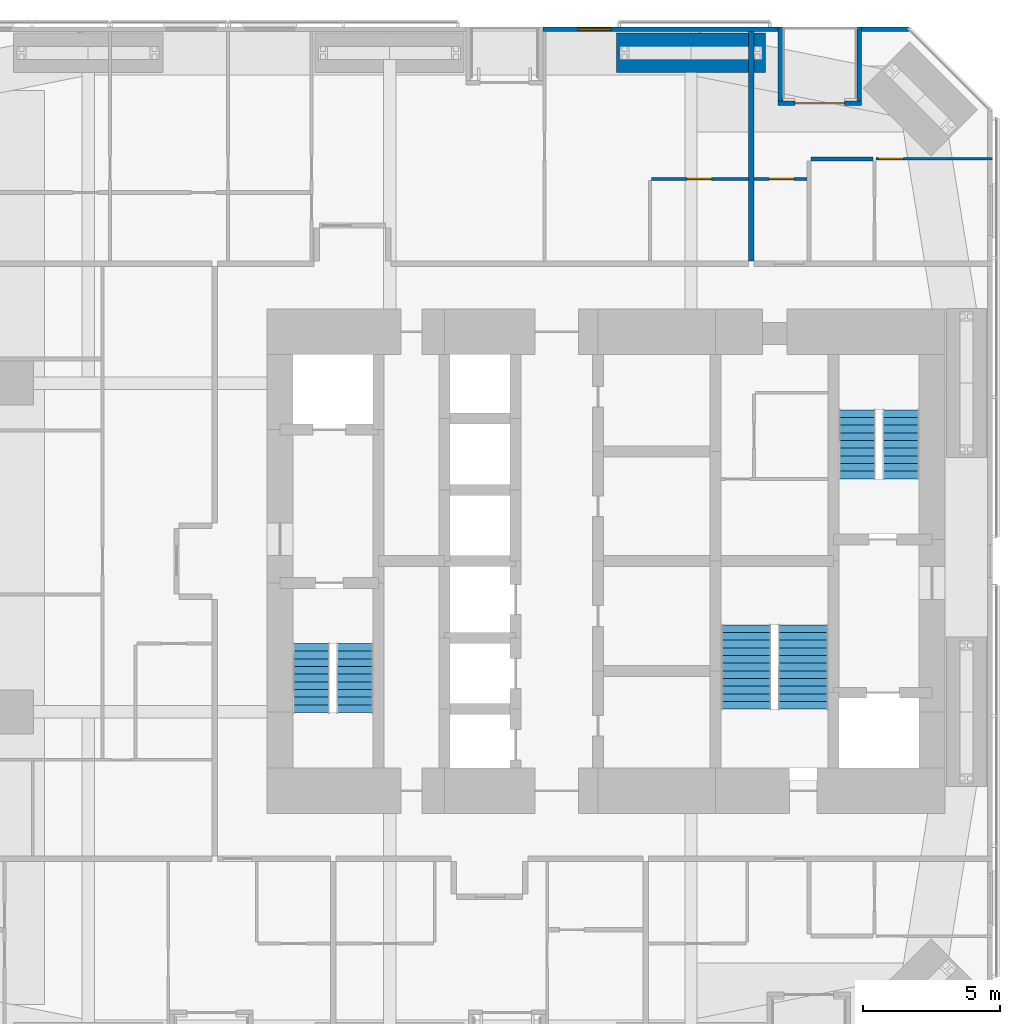
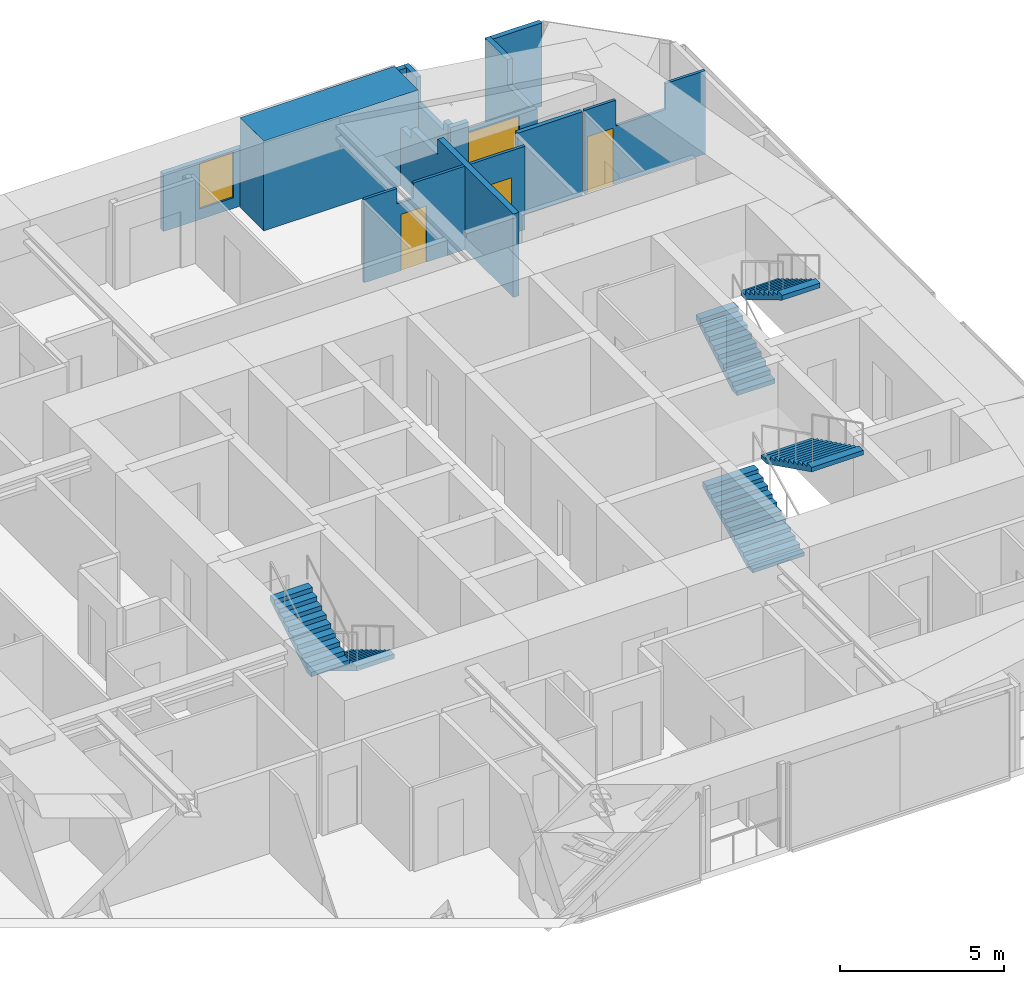
# One storey, part 22 of 23: 12 walls, 6 stair flights, 4 doors, 1 window, 5 openings, 3 elements without a shape of their own.
"""IFC4 building model written with IfcOpenShell, lengths in metres."""

from ifc_helpers import new_model, si_unit, direction, frame, frame_2d, origin, place, context, subcontext, project, spatial, polyline, rectangle, outline, extrude, material, layer, layer_set, constituent, constituent_set, type_object, element, fill, aggregate, save


model = new_model("IFC4")

# Units and contexts
model_context = context("Model", 3, precision=1e-05, world=origin(), true_north=direction((0.0, 1.0)))
body_context = subcontext(model_context, "Body", "Model", "MODEL_VIEW")
ifc_project = project(units=[si_unit("LENGTHUNIT", "METRE"), si_unit("AREAUNIT", "SQUARE_METRE"), si_unit("VOLUMEUNIT", "CUBIC_METRE"), si_unit("PLANEANGLEUNIT", "RADIAN"), si_unit("MASSUNIT", "GRAM", prefix="KILO")], contexts=[model_context])

# Site, building, storey
site_placement = place(None, origin())
site = spatial("IfcSite", under=ifc_project, at=site_placement, CompositionType="ELEMENT")
building_placement = place(site_placement, origin())
building = spatial("IfcBuilding", under=site, at=building_placement, Name="Jalousie Tower", CompositionType="ELEMENT")
storey_placement = place(building_placement, frame((0.0, 0.0, 31.050048828125)))
storey = spatial("IfcBuildingStorey", under=building, at=storey_placement, Name="L07", CompositionType="ELEMENT", Elevation=31.050048828125)

# Walls
ifc_material_1 = material(Name="Concrete block ASTM C90", Category="concrete")
ifc_constituent_1 = constituent(ifc_material_1, Name="Body")
ifc_material_2 = material(Name="Render")
ifc_constituent_2 = constituent(ifc_material_2, Name="Finish")
ifc_constituent_set_1 = constituent_set(constituents=[ifc_constituent_1, ifc_constituent_2])
wall_type_1 = type_object("IfcWallType", Name="BATHROOM WALL 150", PredefinedType="PLUMBINGWALL", material=ifc_constituent_set_1)
wall_1_placement = place(storey_placement, frame((39.375, 33.1826171875, 0.0), z_axis=(0.0, 0.0, 1.0), x_axis=(1.0, 0.0, 0.0)))
element("IfcWall", 1, at=wall_1_placement, inside=storey, type_object=wall_type_1, Name="Bathroom Wall 150 L07", PredefinedType="PLUMBINGWALL", context=body_context, shape_type="SweptSolid", body=[
    extrude(rectangle(XDim=2.27490234375, YDim=0.14990234375, at=frame_2d((1.137451171875, 0.0))), origin(), (0.0, 0.0, 1.0), 3.10986328125),
])
ifc_material_3 = material(Name="Concrete f'c 40 MPa", Category="concrete")
ifc_constituent_3 = constituent(ifc_material_3, Name="Body")
ifc_material_4 = material(Name="Render, pastel coral")
ifc_constituent_4 = constituent(ifc_material_4, Name="Finish")
ifc_constituent_set_2 = constituent_set(constituents=[ifc_constituent_3, ifc_constituent_4])
wall_type_2 = type_object("IfcWallType", Name="EXTERNAL WALL 175 CORAL RENDER", PredefinedType="SOLIDWALL", material=ifc_constituent_set_2)
wall_2_placement = place(storey_placement, frame((42.94873046875, 37.91259765625, 0.0), z_axis=(0.0, 0.0, 1.0), x_axis=(-1.0, 0.0, 0.0)))
element("IfcWall", 2, at=wall_2_placement, inside=storey, type_object=wall_type_2, Name="External Wall 175 Coral Render L07", PredefinedType="SOLIDWALL", context=body_context, shape_type="SweptSolid", body=[
    extrude(rectangle(XDim=1.72509765625, YDim=0.175048828125, at=frame_2d((0.862548828125, 0.0))), origin(), (0.0, 0.0, 1.0), 3.10986328125),
])

# Wall, opening, window
wall_3_placement = place(storey_placement, frame((38.173583984375, 37.91259765625, 0.0), z_axis=(0.0, 0.0, 1.0), x_axis=(-1.0, 0.0, 0.0)))
wall_3 = element("IfcWall", 3, at=wall_3_placement, inside=storey, type_object=wall_type_2, Name="External Wall 175 Coral Render L07", PredefinedType="SOLIDWALL", context=body_context, shape_type="SweptSolid", body=[
    extrude(outline(polyline([(0.0, 0.0), (8.5654296875, 0.0), (8.5654296875, 2.14990234375), (3.173583984375, 2.14990234375), (3.173583984375, 3.10986328125), (3.01806640625, 3.10986328125), (3.01806640625, 2.14990234375), (2.9697265625, 2.14990234375), (2.9697265625, 3.10986328125), (0.0, 3.10986328125), (0.0, 0.0)])), frame((0.0, 0.08740234375, 0.0), z_axis=(0.0, -1.0, 0.0), x_axis=(1.0, 0.0, 0.0)), (0.0, 0.0, 1.0), 0.175048828125),
])
opening_1_placement = place(wall_3_placement, frame((6.091796875, 0.0, 0.39990234375)))
opening_1 = element("IfcOpeningElement", 4, at=opening_1_placement, cuts=wall_3, Name="Opening W-COR170", PredefinedType="OPENING", context=body_context, shape_type="SweptSolid", body=[
    extrude(rectangle(XDim=1.199951171875, YDim=1.699951171875, at=frame_2d((0.60009765625, 0.85009765625))), frame((0.0, 0.097412109375, 0.0), z_axis=(0.0, -1.0, 0.0), x_axis=(1.0, 0.0, 0.0)), (0.0, 0.0, 1.0), 0.195068359375),
])
ifc_material_5 = material(Name="Aluminium frame, impact-rated glazing", Category="aluminium")
window_type = type_object("IfcWindowType", Name="WINDOW COR 1200x1700", PartitioningType="SINGLE_PANEL", PredefinedType="WINDOW", material=ifc_material_5)
window_placement = place(opening_1_placement, origin())
window = element("IfcWindow", 5, at=window_placement, inside=storey, type_object=window_type, Name="Apartment 0704 dining room window", OverallHeight=1.699951171875, OverallWidth=1.199951171875, PartitioningType="SINGLE_PANEL", PredefinedType="WINDOW", context=body_context, shape_type="SweptSolid", body=[
    extrude(rectangle(XDim=1.199951171875, YDim=1.699951171875, at=frame_2d((0.60009765625, 0.85009765625))), frame((0.0, 0.030029296875, 0.0), z_axis=(0.0, -1.0, 0.0), x_axis=(1.0, 0.0, 0.0)), (0.0, 0.0, 1.0), 0.06005859375),
])
fill(opening_1, window)

# Wall, opening, door
wall_4_placement = place(storey_placement, frame((41.2236328125, 35.21240234375, 0.0), z_axis=(0.0, 0.0, 1.0), x_axis=(-1.0, 0.0, 0.0)))
wall_4 = element("IfcWall", 6, at=wall_4_placement, inside=storey, type_object=wall_type_2, Name="External Wall 175 Coral Render L07-A", PredefinedType="SOLIDWALL", context=body_context, shape_type="SweptSolid", body=[
    extrude(rectangle(XDim=2.425048828125, YDim=0.175048828125, at=frame_2d((1.21240234375, 0.0))), origin(), (0.0, 0.0, 1.0), 2.14990234375),
])
opening_2_placement = place(wall_4_placement, frame((0.625, 0.0, 0.0)))
opening_2 = element("IfcOpeningElement", 7, at=opening_2_placement, cuts=wall_4, Name="Opening D-BAL21", PredefinedType="OPENING", context=body_context, shape_type="SweptSolid", body=[
    extrude(rectangle(XDim=1.800048828125, YDim=2.10009765625, at=frame_2d((0.89990234375, 1.050048828125))), frame((0.0, 0.097412109375, 0.0), z_axis=(0.0, -1.0, 0.0), x_axis=(1.0, 0.0, 0.0)), (0.0, 0.0, 1.0), 0.195068359375),
])
ifc_material_6 = material(Name="Aluminium frame, impact-rated glazing", Category="aluminium")
door_type_1 = type_object("IfcDoorType", Name="BALCONY DOOR 1800x2100", OperationType="SLIDING_TO_LEFT", PredefinedType="DOOR", material=ifc_material_6)
door_1_placement = place(opening_2_placement, origin())
door_1 = element("IfcDoor", 8, at=door_1_placement, inside=storey, type_object=door_type_1, Name="Apartment 0705 living and dining room loggia door", OperationType="SLIDING_TO_LEFT", OverallHeight=2.10009765625, OverallWidth=1.800048828125, PredefinedType="DOOR", context=body_context, shape_type="SweptSolid", body=[
    extrude(rectangle(XDim=1.800048828125, YDim=2.10009765625, at=frame_2d((0.89990234375, 1.050048828125))), frame((0.0, 0.02490234375, 0.0), z_axis=(0.0, -1.0, 0.0), x_axis=(1.0, 0.0, 0.0)), (0.0, 0.0, 1.0), 0.050048828125),
])
fill(opening_2, door_1)

# Walls
wall_5_placement = place(storey_placement, frame((38.798583984375, 35.21240234375, 0.0), z_axis=(0.0, 0.0, 1.0), x_axis=(-1.0, 0.0, 0.0)))
element("IfcWall", 9, at=wall_5_placement, inside=storey, type_object=wall_type_2, Name="External Wall 175 Coral Render L07-B", PredefinedType="SOLIDWALL", context=body_context, shape_type="SweptSolid", body=[
    extrude(rectangle(XDim=0.625, YDim=0.175048828125, at=frame_2d((0.3125, 0.0))), origin(), (0.0, 0.0, 1.0), 2.510009765625),
])
wall_6_placement = place(storey_placement, frame((41.13623046875, 38.0, 0.0), z_axis=(0.0, 0.0, 1.0), x_axis=(0.0, -1.0, 0.0)))
element("IfcWall", 10, at=wall_6_placement, inside=storey, type_object=wall_type_2, Name="External Wall 175 Coral Render L07", PredefinedType="SOLIDWALL", context=body_context, shape_type="SweptSolid", body=[
    extrude(outline(polyline([(0.0, 0.0), (2.699951171875, 0.0), (2.699951171875, 2.14990234375), (1.349365234375, 2.14990234375), (1.349365234375, 3.10986328125), (0.0, 3.10986328125), (0.0, 0.0)])), frame((0.0, 0.08740234375, 0.0), z_axis=(0.0, -1.0, 0.0), x_axis=(1.0, 0.0, 0.0)), (0.0, 0.0, 1.0), 0.175048828125),
])
wall_7_placement = place(storey_placement, frame((38.26123046875, 38.0, 0.0), z_axis=(0.0, 0.0, 1.0), x_axis=(0.0, -1.0, 0.0)))
element("IfcWall", 11, at=wall_7_placement, inside=storey, type_object=wall_type_2, Name="External Wall 175 Coral Render L07", PredefinedType="SOLIDWALL", context=body_context, shape_type="SweptSolid", body=[
    extrude(outline(polyline([(0.0, 0.0), (2.699951171875, 0.0), (2.699951171875, 2.510009765625), (2.438720703125, 2.510009765625), (2.438720703125, 2.14990234375), (0.771728515625, 2.14990234375), (0.771728515625, 3.10986328125), (0.0, 3.10986328125), (0.0, 0.0)])), frame((0.0, 0.08740234375, 0.0), z_axis=(0.0, -1.0, 0.0), x_axis=(1.0, 0.0, 0.0)), (0.0, 0.0, 1.0), 0.175048828125),
])

# Wall, opening, door
ifc_material_7 = material(Name="Gypsum board", Category="gypsum")
ifc_constituent_5 = constituent(ifc_material_7, Name="Body")
ifc_material_8 = material(Name="Light-gauge steel studs ASTM A653 SS Grade 33", Category="steel")
ifc_constituent_6 = constituent(ifc_material_8, Name="Framing")
ifc_constituent_set_3 = constituent_set(constituents=[ifc_constituent_5, ifc_constituent_6])
wall_type_3 = type_object("IfcWallType", Name="PARTITION 100", PredefinedType="PARTITIONING", material=ifc_constituent_set_3)
wall_8_placement = place(storey_placement, frame((33.550048828125, 32.449951171875, 0.0), z_axis=(0.0, 0.0, 1.0), x_axis=(1.0, 0.0, 0.0)))
wall_8 = element("IfcWall", 12, at=wall_8_placement, inside=storey, type_object=wall_type_3, Name="Partition 100 L07", PredefinedType="PARTITIONING", context=body_context, shape_type="SweptSolid", body=[
    extrude(outline(polyline([(0.0, 0.0), (3.550048828125, 0.0), (3.550048828125, 3.10986328125), (1.7373046875, 3.10986328125), (1.7373046875, 2.541015625), (1.16259765625, 2.541015625), (1.16259765625, 3.10986328125), (0.0, 3.10986328125), (0.0, 0.0)])), frame((0.0, 0.050048828125, 0.0), z_axis=(0.0, -1.0, 0.0), x_axis=(1.0, 0.0, 0.0)), (0.0, 0.0, 1.0), 0.10009765625),
])
opening_3_placement = place(wall_8_placement, frame((1.300048828125, 0.0, 0.0)))
opening_3 = element("IfcOpeningElement", 13, at=opening_3_placement, cuts=wall_8, Name="Opening D7", PredefinedType="OPENING", context=body_context, shape_type="SweptSolid", body=[
    extrude(rectangle(XDim=0.89990234375, YDim=2.10009765625, at=frame_2d((0.449951171875, 1.050048828125))), frame((0.0, 0.06005859375, 0.0), z_axis=(0.0, -1.0, 0.0), x_axis=(1.0, 0.0, 0.0)), (0.0, 0.0, 1.0), 0.1201171875),
])
ifc_material_9 = material(Name="Timber door", Category="wood")
door_type_2 = type_object("IfcDoorType", Name="INTERNAL DOOR 900", OperationType="SINGLE_SWING_LEFT", PredefinedType="DOOR", material=ifc_material_9)
door_2_placement = place(opening_3_placement, origin())
door_2 = element("IfcDoor", 14, at=door_2_placement, inside=storey, type_object=door_type_2, Name="Apartment 0704 kitchen door", OperationType="SINGLE_SWING_RIGHT", OverallHeight=2.10009765625, OverallWidth=0.89990234375, PredefinedType="DOOR", context=body_context, shape_type="SweptSolid", body=[
    extrude(rectangle(XDim=0.89990234375, YDim=2.10009765625, at=frame_2d((0.449951171875, 1.050048828125))), frame((0.0, 0.02490234375, 0.0), z_axis=(0.0, -1.0, 0.0), x_axis=(1.0, 0.0, 0.0)), (0.0, 0.0, 1.0), 0.050048828125),
])
fill(opening_3, door_2)

wall_9_placement = place(storey_placement, frame((41.75, 33.1826171875, 0.0), z_axis=(0.0, 0.0, 1.0), x_axis=(1.0, 0.0, 0.0)))
wall_9 = element("IfcWall", 15, at=wall_9_placement, inside=storey, type_object=wall_type_3, Name="Partition 100 L07", PredefinedType="PARTITIONING", context=body_context, shape_type="SweptSolid", body=[
    extrude(outline(polyline([(0.0, 0.0), (4.25, 0.0), (4.25, 3.10986328125), (2.84423828125, 3.10986328125), (2.84423828125, 2.14990234375), (1.101806640625, 2.14990234375), (1.101806640625, 3.10986328125), (0.0, 3.10986328125), (0.0, 0.0)])), frame((0.0, 0.050048828125, 0.0), z_axis=(0.0, -1.0, 0.0), x_axis=(1.0, 0.0, 0.0)), (0.0, 0.0, 1.0), 0.10009765625),
])
opening_4_placement = place(wall_9_placement, frame((0.10009765625, 0.0, 0.0)))
opening_4 = element("IfcOpeningElement", 16, at=opening_4_placement, cuts=wall_9, Name="Opening D2", PredefinedType="OPENING", context=body_context, shape_type="SweptSolid", body=[
    extrude(rectangle(XDim=0.89990234375, YDim=2.10009765625, at=frame_2d((0.449951171875, 1.050048828125))), frame((0.0, 0.06005859375, 0.0), z_axis=(0.0, -1.0, 0.0), x_axis=(1.0, 0.0, 0.0)), (0.0, 0.0, 1.0), 0.1201171875),
])
ifc_material_10 = material(Name="Timber door", Category="wood")
door_type_3 = type_object("IfcDoorType", Name="BEDROOM DOOR 900", OperationType="SINGLE_SWING_LEFT", PredefinedType="DOOR", material=ifc_material_10)
door_3_placement = place(opening_4_placement, frame((0.89990234375, 0.0, 0.0), z_axis=(0.0, 0.0, 1.0), x_axis=(-1.0, 0.0, 0.0)))
door_3 = element("IfcDoor", 17, at=door_3_placement, inside=storey, type_object=door_type_3, Name="Apartment 0705 bedroom 1 door", OperationType="SINGLE_SWING_RIGHT", OverallHeight=2.10009765625, OverallWidth=0.89990234375, PredefinedType="DOOR", context=body_context, shape_type="SweptSolid", body=[
    extrude(rectangle(XDim=0.89990234375, YDim=2.10009765625, at=frame_2d((0.449951171875, 1.050048828125))), frame((0.0, 0.02490234375, 0.0), z_axis=(0.0, -1.0, 0.0), x_axis=(1.0, 0.0, 0.0)), (0.0, 0.0, 1.0), 0.050048828125),
])
fill(opening_4, door_3)

wall_10_placement = place(storey_placement, frame((37.300048828125, 32.449951171875, 0.0), z_axis=(0.0, 0.0, 1.0), x_axis=(1.0, 0.0, 0.0)))
wall_10 = element("IfcWall", 18, at=wall_10_placement, inside=storey, type_object=wall_type_3, Name="Partition 100 L07", PredefinedType="PARTITIONING", context=body_context, shape_type="SweptSolid", body=[
    extrude(rectangle(XDim=1.925048828125, YDim=0.10009765625, at=frame_2d((0.96240234375, 0.0))), origin(), (0.0, 0.0, 1.0), 3.10986328125),
])
opening_5_placement = place(wall_10_placement, frame((0.550048828125, 0.0, 0.0)))
opening_5 = element("IfcOpeningElement", 19, at=opening_5_placement, cuts=wall_10, Name="Opening D7", PredefinedType="OPENING", context=body_context, shape_type="SweptSolid", body=[
    extrude(rectangle(XDim=0.89990234375, YDim=2.10009765625, at=frame_2d((0.449951171875, 1.050048828125))), frame((0.0, 0.06005859375, 0.0), z_axis=(0.0, -1.0, 0.0), x_axis=(1.0, 0.0, 0.0)), (0.0, 0.0, 1.0), 0.1201171875),
])
door_4_placement = place(opening_5_placement, frame((0.89990234375, 0.0, 0.0), z_axis=(0.0, 0.0, 1.0), x_axis=(-1.0, 0.0, 0.0)))
door_4 = element("IfcDoor", 20, at=door_4_placement, inside=storey, type_object=door_type_2, Name="Apartment 0705 kitchen door", OperationType="SINGLE_SWING_LEFT", OverallHeight=2.10009765625, OverallWidth=0.89990234375, PredefinedType="DOOR", context=body_context, shape_type="SweptSolid", body=[
    extrude(rectangle(XDim=0.89990234375, YDim=2.10009765625, at=frame_2d((0.449951171875, 1.050048828125))), frame((0.0, 0.02490234375, 0.0), z_axis=(0.0, -1.0, 0.0), x_axis=(1.0, 0.0, 0.0)), (0.0, 0.0, 1.0), 0.050048828125),
])
fill(opening_5, door_4)

# Walls
ifc_material_11 = material(Name="Concrete block ASTM C90", Category="concrete")
ifc_constituent_7 = constituent(ifc_material_11, Name="Body")
ifc_material_12 = material(Name="Render")
ifc_constituent_8 = constituent(ifc_material_12, Name="Finish")
ifc_constituent_set_4 = constituent_set(constituents=[ifc_constituent_7, ifc_constituent_8])
wall_type_4 = type_object("IfcWallType", Name="PARTY WALL 200", PredefinedType="PARTITIONING", material=ifc_constituent_set_4)
wall_11_placement = place(storey_placement, frame((37.199951171875, 37.824951171875, 0.0), z_axis=(0.0, 0.0, 1.0), x_axis=(0.0, -1.0, 0.0)))
element("IfcWall", 21, at=wall_11_placement, inside=storey, type_object=wall_type_4, Name="Party Wall 200 L07", PredefinedType="PARTITIONING", context=body_context, shape_type="SweptSolid", body=[
    extrude(outline(polyline([(0.0, 0.0), (8.375, 0.0), (8.375, 3.10986328125), (3.766357421875, 3.10986328125), (3.766357421875, 2.510009765625), (2.145263671875, 2.510009765625), (2.145263671875, 2.14990234375), (0.288818359375, 2.14990234375), (0.288818359375, 3.10986328125), (0.0, 3.10986328125), (0.0, 0.0)])), frame((0.0, 0.10009765625, 0.0), z_axis=(0.0, -1.0, 0.0), x_axis=(1.0, 0.0, 0.0)), (0.0, 0.0, 1.0), 0.199951171875),
])
ifc_material_13 = material(Name="Concrete f'c 120 MPa", Category="concrete")
ifc_layer = layer(ifc_material_13, 1.449951171875)
ifc_layer_set = layer_set([ifc_layer], Name="Concrete f'c 120 MPa")
wall_type_5 = type_object("IfcWallType", Name="RC WALL PIER 1450", PredefinedType="SHEAR", material=ifc_layer_set)
wall_12_placement = place(storey_placement, frame((32.27490234375, 37.050048828125, 0.0), z_axis=(0.0, 0.0, 1.0), x_axis=(1.0, 0.0, 0.0)))
element("IfcWall", 22, at=wall_12_placement, inside=storey, type_object=wall_type_5, Name="Wall pier 09 L07", PredefinedType="SHEAR", context=body_context, shape_type="SweptSolid", body=[
    extrude(rectangle(XDim=5.4501953125, YDim=1.449951171875, at=frame_2d((2.72509765625, 0.0))), origin(), (0.0, 0.0, 1.0), 3.349853515625),
])

# Stair, stair flights
ifc_material_14 = material(Name="Concrete f'c 40 MPa", Category="concrete")
stair_type = type_object("IfcStairType", Name="EXIT STAIR", PredefinedType="HALF_TURN_STAIR", material=ifc_material_14)
stair_1_placement = place(storey_placement, origin())
stair_1 = element("IfcStair", 23, at=stair_1_placement, inside=storey, type_object=stair_type, Name="Exit stair A L07", PredefinedType="HALF_TURN_STAIR")
ifc_material_15 = material(Name="Concrete f'c 40 MPa", Category="concrete")
stair_flight_type = type_object("IfcStairFlightType", Name="STAIR FLIGHT", PredefinedType="STRAIGHT", material=ifc_material_15)
stair_flight_1_placement = place(storey_placement, frame((22.731201171875, 15.49755859375, 0.0), z_axis=(0.0, 0.0, 1.0), x_axis=(0.0, -1.0, 0.0)))
stair_flight_1 = element("IfcStairFlight", 24, at=stair_flight_1_placement, type_object=stair_flight_type, Name="ST-A flight 1", NumberOfRisers=10, NumberOfTreads=9, PredefinedType="STRAIGHT", RiserHeight=0.1675, TreadLength=0.28, context=body_context, shape_type="SweptSolid", body=[
    extrude(outline(polyline([(0.0, 0.0), (0.0, 0.16748046875), (0.280029296875, 0.16748046875), (0.280029296875, 0.3349609375), (0.56005859375, 0.3349609375), (0.56005859375, 0.50244140625), (0.840087890625, 0.50244140625), (0.840087890625, 0.669921875), (1.1201171875, 0.669921875), (1.1201171875, 0.83740234375), (1.39990234375, 0.83740234375), (1.39990234375, 1.0048828125), (1.679931640625, 1.0048828125), (1.679931640625, 1.172607421875), (1.9599609375, 1.172607421875), (1.9599609375, 1.340087890625), (2.239990234375, 1.340087890625), (2.239990234375, 1.507568359375), (2.52001953125, 1.507568359375), (2.52001953125, 1.675048828125), (2.52001953125, 1.332763671875), (0.2919921875, 0.0), (0.0, 0.0)])), frame((0.0, 0.668701171875, 0.0), z_axis=(0.0, -1.0, 0.0), x_axis=(1.0, 0.0, 0.0)), (0.0, 0.0, 1.0), 1.33740234375),
])
stair_flight_2_placement = place(storey_placement, frame((21.143798828125, 12.9775390625, 1.675048828125), z_axis=(0.0, 0.0, 1.0), x_axis=(0.0, 1.0, 0.0)))
stair_flight_2 = element("IfcStairFlight", 25, at=stair_flight_2_placement, type_object=stair_flight_type, Name="ST-A flight 2", NumberOfRisers=10, NumberOfTreads=9, PredefinedType="STRAIGHT", RiserHeight=0.1675, TreadLength=0.28, context=body_context, shape_type="SweptSolid", body=[
    extrude(outline(polyline([(0.0, 0.0), (0.0, 0.16748046875), (0.280029296875, 0.16748046875), (0.280029296875, 0.3349609375), (0.56005859375, 0.3349609375), (0.56005859375, 0.50244140625), (0.840087890625, 0.50244140625), (0.840087890625, 0.669921875), (1.1201171875, 0.669921875), (1.1201171875, 0.83740234375), (1.39990234375, 0.83740234375), (1.39990234375, 1.0048828125), (1.679931640625, 1.0048828125), (1.679931640625, 1.172607421875), (1.9599609375, 1.172607421875), (1.9599609375, 1.340087890625), (2.239990234375, 1.340087890625), (2.239990234375, 1.507568359375), (2.52001953125, 1.507568359375), (2.52001953125, 1.675048828125), (2.52001953125, 1.332763671875), (0.2919921875, 0.0), (0.0, 0.0)])), frame((0.0, 0.668701171875, 0.0), z_axis=(0.0, -1.0, 0.0), x_axis=(1.0, 0.0, 0.0)), (0.0, 0.0, 1.0), 1.33740234375),
])
aggregate(stair_1, [stair_flight_1, stair_flight_2])

stair_2_placement = place(storey_placement, origin())
stair_2 = element("IfcStair", 26, at=stair_2_placement, inside=storey, type_object=stair_type, Name="Exit stair B L07", PredefinedType="HALF_TURN_STAIR")
stair_flight_3_placement = place(storey_placement, frame((41.06884765625, 21.50244140625, 0.0), z_axis=(0.0, 0.0, 1.0), x_axis=(0.0, 1.0, 0.0)))
stair_flight_3 = element("IfcStairFlight", 27, at=stair_flight_3_placement, type_object=stair_flight_type, Name="ST-B flight 1", NumberOfRisers=10, NumberOfTreads=9, PredefinedType="STRAIGHT", RiserHeight=0.1675, TreadLength=0.28, context=body_context, shape_type="SweptSolid", body=[
    extrude(outline(polyline([(0.0, 0.0), (0.0, 0.16748046875), (0.280029296875, 0.16748046875), (0.280029296875, 0.3349609375), (0.56005859375, 0.3349609375), (0.56005859375, 0.50244140625), (0.840087890625, 0.50244140625), (0.840087890625, 0.669921875), (1.1201171875, 0.669921875), (1.1201171875, 0.83740234375), (1.39990234375, 0.83740234375), (1.39990234375, 1.0048828125), (1.679931640625, 1.0048828125), (1.679931640625, 1.172607421875), (1.9599609375, 1.172607421875), (1.9599609375, 1.340087890625), (2.239990234375, 1.340087890625), (2.239990234375, 1.507568359375), (2.52001953125, 1.507568359375), (2.52001953125, 1.675048828125), (2.52001953125, 1.332763671875), (0.2919921875, 0.0), (0.0, 0.0)])), frame((0.0, 0.668701171875, 0.0), z_axis=(0.0, -1.0, 0.0), x_axis=(1.0, 0.0, 0.0)), (0.0, 0.0, 1.0), 1.33740234375),
])
stair_flight_4_placement = place(storey_placement, frame((42.65625, 24.0224609375, 1.675048828125), z_axis=(0.0, 0.0, 1.0), x_axis=(0.0, -1.0, 0.0)))
stair_flight_4 = element("IfcStairFlight", 28, at=stair_flight_4_placement, type_object=stair_flight_type, Name="ST-B flight 2", NumberOfRisers=10, NumberOfTreads=9, PredefinedType="STRAIGHT", RiserHeight=0.1675, TreadLength=0.28, context=body_context, shape_type="SweptSolid", body=[
    extrude(outline(polyline([(0.0, 0.0), (0.0, 0.16748046875), (0.280029296875, 0.16748046875), (0.280029296875, 0.3349609375), (0.56005859375, 0.3349609375), (0.56005859375, 0.50244140625), (0.840087890625, 0.50244140625), (0.840087890625, 0.669921875), (1.1201171875, 0.669921875), (1.1201171875, 0.83740234375), (1.39990234375, 0.83740234375), (1.39990234375, 1.0048828125), (1.679931640625, 1.0048828125), (1.679931640625, 1.172607421875), (1.9599609375, 1.172607421875), (1.9599609375, 1.340087890625), (2.239990234375, 1.340087890625), (2.239990234375, 1.507568359375), (2.52001953125, 1.507568359375), (2.52001953125, 1.675048828125), (2.52001953125, 1.332763671875), (0.2919921875, 0.0), (0.0, 0.0)])), frame((0.0, 0.668701171875, 0.0), z_axis=(0.0, -1.0, 0.0), x_axis=(1.0, 0.0, 0.0)), (0.0, 0.0, 1.0), 1.33740234375),
])
aggregate(stair_2, [stair_flight_3, stair_flight_4])

stair_3_placement = place(storey_placement, origin())
stair_3 = element("IfcStair", 29, at=stair_3_placement, inside=storey, type_object=stair_type, Name="Exit stair C L07", PredefinedType="HALF_TURN_STAIR")
stair_flight_5_placement = place(storey_placement, frame((37.012451171875, 13.097412109375, 0.0), z_axis=(0.0, 0.0, 1.0), x_axis=(0.0, 1.0, 0.0)))
stair_flight_5 = element("IfcStairFlight", 30, at=stair_flight_5_placement, type_object=stair_flight_type, Name="ST-C flight 1", NumberOfRisers=12, NumberOfTreads=11, PredefinedType="STRAIGHT", RiserHeight=0.139583333, TreadLength=0.28, context=body_context, shape_type="SweptSolid", body=[
    extrude(outline(polyline([(0.0, 0.0), (0.0, 0.1396484375), (0.280029296875, 0.1396484375), (0.280029296875, 0.279052734375), (0.56005859375, 0.279052734375), (0.56005859375, 0.418701171875), (0.840087890625, 0.418701171875), (0.840087890625, 0.558349609375), (1.1201171875, 0.558349609375), (1.1201171875, 0.697998046875), (1.39990234375, 0.697998046875), (1.39990234375, 0.83740234375), (1.679931640625, 0.83740234375), (1.679931640625, 0.97705078125), (1.9599609375, 0.97705078125), (1.9599609375, 1.11669921875), (2.239990234375, 1.11669921875), (2.239990234375, 1.25634765625), (2.52001953125, 1.25634765625), (2.52001953125, 1.395751953125), (2.800048828125, 1.395751953125), (2.800048828125, 1.535400390625), (3.080078125, 1.535400390625), (3.080078125, 1.675048828125), (3.080078125, 1.367919921875), (0.3359375, 0.0), (0.0, 0.0)])), frame((0.0, 0.91259765625, 0.0), z_axis=(0.0, -1.0, 0.0), x_axis=(1.0, 0.0, 0.0)), (0.0, 0.0, 1.0), 1.824951171875),
])
stair_flight_6_placement = place(storey_placement, frame((39.08740234375, 16.177490234375, 1.675048828125), z_axis=(0.0, 0.0, 1.0), x_axis=(0.0, -1.0, 0.0)))
stair_flight_6 = element("IfcStairFlight", 31, at=stair_flight_6_placement, type_object=stair_flight_type, Name="ST-C flight 2", NumberOfRisers=12, NumberOfTreads=11, PredefinedType="STRAIGHT", RiserHeight=0.139583333, TreadLength=0.28, context=body_context, shape_type="SweptSolid", body=[
    extrude(outline(polyline([(0.0, 0.0), (0.0, 0.1396484375), (0.280029296875, 0.1396484375), (0.280029296875, 0.279052734375), (0.56005859375, 0.279052734375), (0.56005859375, 0.418701171875), (0.840087890625, 0.418701171875), (0.840087890625, 0.558349609375), (1.1201171875, 0.558349609375), (1.1201171875, 0.697998046875), (1.39990234375, 0.697998046875), (1.39990234375, 0.83740234375), (1.679931640625, 0.83740234375), (1.679931640625, 0.97705078125), (1.9599609375, 0.97705078125), (1.9599609375, 1.11669921875), (2.239990234375, 1.11669921875), (2.239990234375, 1.25634765625), (2.52001953125, 1.25634765625), (2.52001953125, 1.395751953125), (2.800048828125, 1.395751953125), (2.800048828125, 1.535400390625), (3.080078125, 1.535400390625), (3.080078125, 1.675048828125), (3.080078125, 1.367919921875), (0.3359375, 0.0), (0.0, 0.0)])), frame((0.0, 0.91259765625, 0.0), z_axis=(0.0, -1.0, 0.0), x_axis=(1.0, 0.0, 0.0)), (0.0, 0.0, 1.0), 1.824951171875),
])
aggregate(stair_3, [stair_flight_5, stair_flight_6])

save(model, "model.ifc")
